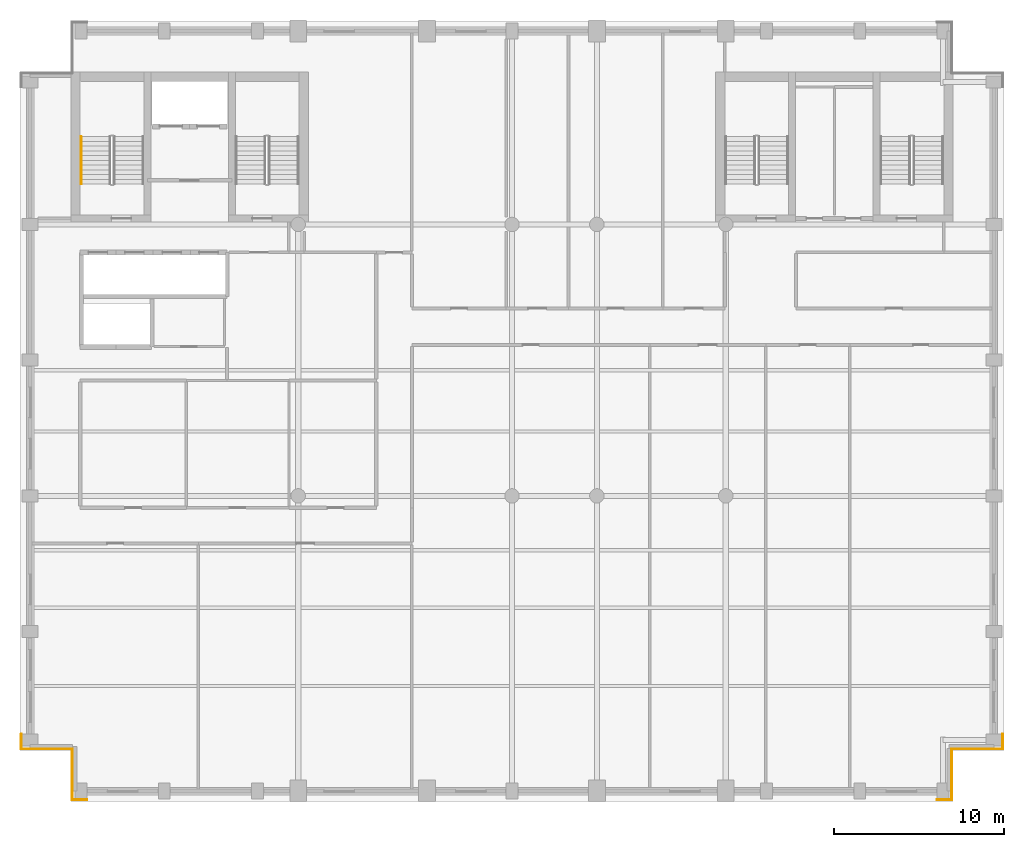
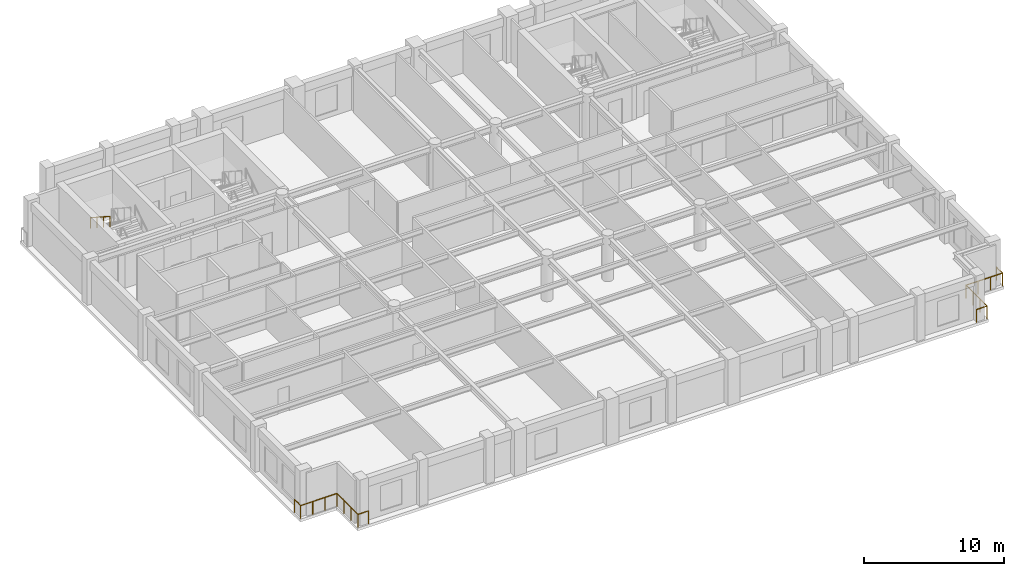
# One storey, part 7 of 9: 9 railings.
"""IFC4 building model written with IfcOpenShell, lengths in metres."""

from ifc_helpers import new_model, si_unit, direction, frame, origin, origin_2d, place, context, subcontext, project, spatial, circle, extrude, material, type_object, element, save


model = new_model("IFC4")

# Units and contexts
model_context = context("Model", 3, precision=1e-05, world=origin(), true_north=direction((0.0, 1.0)))
body_context = subcontext(model_context, "Body", "Model", "MODEL_VIEW")
ifc_project = project(units=[si_unit("LENGTHUNIT", "METRE"), si_unit("AREAUNIT", "SQUARE_METRE"), si_unit("VOLUMEUNIT", "CUBIC_METRE"), si_unit("PLANEANGLEUNIT", "RADIAN"), si_unit("MASSUNIT", "GRAM", prefix="KILO")], contexts=[model_context])

# Site, building, storey
site_placement = place(None, origin())
site = spatial("IfcSite", under=ifc_project, at=site_placement, CompositionType="ELEMENT")
building_placement = place(site_placement, origin())
building = spatial("IfcBuilding", under=site, at=building_placement, Name="Sulina Concourse Tower", CompositionType="ELEMENT")
storey_placement = place(building_placement, frame((0.0, 0.0, 272.60009765625)))
storey = spatial("IfcBuildingStorey", under=building, at=storey_placement, Name="L66", CompositionType="ELEMENT", Elevation=272.60009765625)

# Railings
ifc_material_1 = material(Name="Galvanised steel railing", Category="steel")
railing_type_1 = type_object("IfcRailingType", Name="Core Stair Steel Guardrail 1150mm", PredefinedType="GUARDRAIL", material=ifc_material_1)
railing_1_placement = place(storey_placement, frame((57.919921875, 3.949951171875, 0.0)))
element("IfcRailing", 1, at=railing_1_placement, inside=storey, type_object=railing_type_1, Name="L66 perimeter edge safety guardrail SE1", PredefinedType="GUARDRAIL", context=body_context, shape_type="SweptSolid", body=[
    extrude(circle(Radius=0.02392578125, at=origin_2d()), frame((0.0, 0.0, 1.1259765625), z_axis=(0.0, -1.0, 0.0), x_axis=(1.0, 0.0, 0.0)), (0.0, 0.0, 1.0), 0.869873046875),
    extrude(circle(Radius=0.02099609375, at=origin_2d()), origin(), (0.0, 0.0, 1.0), 1.101806640625),
    extrude(circle(Radius=0.02099609375, at=origin_2d()), frame((0.0, -0.869873046875, 0.0)), (0.0, 0.0, 1.0), 1.101806640625),
])
railing_2_placement = place(storey_placement, frame((57.919921875, 3.080078125, 0.0)))
element("IfcRailing", 2, at=railing_2_placement, inside=storey, type_object=railing_type_1, Name="L66 perimeter edge safety guardrail SE2", PredefinedType="GUARDRAIL", context=body_context, shape_type="SweptSolid", body=[
    extrude(circle(Radius=0.02392578125, at=origin_2d()), frame((0.0, 0.0, 1.1259765625), z_axis=(-1.0, 0.0, 0.0), x_axis=(0.0, -1.0, 0.0)), (0.0, 0.0, 1.0), 3.0),
    extrude(circle(Radius=0.02099609375, at=origin_2d()), origin(), (0.0, 0.0, 1.0), 1.101806640625),
    extrude(circle(Radius=0.02099609375, at=origin_2d()), frame((-1.0, 0.0, 0.0)), (0.0, 0.0, 1.0), 1.101806640625),
    extrude(circle(Radius=0.02099609375, at=origin_2d()), frame((-2.0, 0.0, 0.0)), (0.0, 0.0, 1.0), 1.101806640625),
    extrude(circle(Radius=0.02099609375, at=origin_2d()), frame((-3.0, 0.0, 0.0)), (0.0, 0.0, 1.0), 1.101806640625),
])
railing_3_placement = place(storey_placement, frame((54.919921875, 3.080078125, 0.0)))
element("IfcRailing", 3, at=railing_3_placement, inside=storey, type_object=railing_type_1, Name="L66 perimeter edge safety guardrail SE3", PredefinedType="GUARDRAIL", context=body_context, shape_type="SweptSolid", body=[
    extrude(circle(Radius=0.02392578125, at=origin_2d()), frame((0.0, 0.0, 1.1259765625), z_axis=(0.0, -1.0, 0.0), x_axis=(1.0, 0.0, 0.0)), (0.0, 0.0, 1.0), 3.0),
    extrude(circle(Radius=0.02099609375, at=origin_2d()), origin(), (0.0, 0.0, 1.0), 1.101806640625),
    extrude(circle(Radius=0.02099609375, at=origin_2d()), frame((0.0, -1.0, 0.0)), (0.0, 0.0, 1.0), 1.101806640625),
    extrude(circle(Radius=0.02099609375, at=origin_2d()), frame((0.0, -2.0, 0.0)), (0.0, 0.0, 1.0), 1.101806640625),
    extrude(circle(Radius=0.02099609375, at=origin_2d()), frame((0.0, -3.0, 0.0)), (0.0, 0.0, 1.0), 1.101806640625),
])
for number, where, name in (
    (4, (54.919921875, 0.080078125, 0.0), "L66 perimeter edge safety guardrail SE4"),
    (5, (3.949951171875, 0.080078125, 0.0), "L66 perimeter edge safety guardrail SW1"),
):
    element("IfcRailing", number, at=place(storey_placement, frame(where)), inside=storey, type_object=railing_type_1, Name=name, PredefinedType="GUARDRAIL", context=body_context, shape_type="SweptSolid", body=[
        extrude(circle(Radius=0.02392578125, at=origin_2d()), frame((0.0, 0.0, 1.1259765625), z_axis=(-1.0, 0.0, 0.0), x_axis=(0.0, -1.0, 0.0)), (0.0, 0.0, 1.0), 0.869873046875),
        extrude(circle(Radius=0.02099609375, at=origin_2d()), origin(), (0.0, 0.0, 1.0), 1.101806640625),
        extrude(circle(Radius=0.02099609375, at=origin_2d()), frame((-0.869873046875, 0.0, 0.0)), (0.0, 0.0, 1.0), 1.101806640625),
    ])
railing_4_placement = place(storey_placement, frame((3.080078125, 0.080078125, 0.0)))
element("IfcRailing", 6, at=railing_4_placement, inside=storey, type_object=railing_type_1, Name="L66 perimeter edge safety guardrail SW2", PredefinedType="GUARDRAIL", context=body_context, shape_type="SweptSolid", body=[
    extrude(circle(Radius=0.02392578125, at=origin_2d()), frame((0.0, 0.0, 1.1259765625), z_axis=(0.0, 1.0, 0.0), x_axis=(-1.0, 0.0, 0.0)), (0.0, 0.0, 1.0), 3.0),
    extrude(circle(Radius=0.02099609375, at=origin_2d()), origin(), (0.0, 0.0, 1.0), 1.101806640625),
    extrude(circle(Radius=0.02099609375, at=origin_2d()), frame((0.0, 1.0, 0.0)), (0.0, 0.0, 1.0), 1.101806640625),
    extrude(circle(Radius=0.02099609375, at=origin_2d()), frame((0.0, 2.0, 0.0)), (0.0, 0.0, 1.0), 1.101806640625),
    extrude(circle(Radius=0.02099609375, at=origin_2d()), frame((0.0, 3.0, 0.0)), (0.0, 0.0, 1.0), 1.101806640625),
])
railing_5_placement = place(storey_placement, frame((3.080078125, 3.080078125, 0.0)))
element("IfcRailing", 7, at=railing_5_placement, inside=storey, type_object=railing_type_1, Name="L66 perimeter edge safety guardrail SW3", PredefinedType="GUARDRAIL", context=body_context, shape_type="SweptSolid", body=[
    extrude(circle(Radius=0.02392578125, at=origin_2d()), frame((0.0, 0.0, 1.1259765625), z_axis=(-1.0, 0.0, 0.0), x_axis=(0.0, -1.0, 0.0)), (0.0, 0.0, 1.0), 3.0),
    extrude(circle(Radius=0.02099609375, at=origin_2d()), origin(), (0.0, 0.0, 1.0), 1.101806640625),
    extrude(circle(Radius=0.02099609375, at=origin_2d()), frame((-1.0, 0.0, 0.0)), (0.0, 0.0, 1.0), 1.101806640625),
    extrude(circle(Radius=0.02099609375, at=origin_2d()), frame((-2.0, 0.0, 0.0)), (0.0, 0.0, 1.0), 1.101806640625),
    extrude(circle(Radius=0.02099609375, at=origin_2d()), frame((-3.0, 0.0, 0.0)), (0.0, 0.0, 1.0), 1.101806640625),
])
railing_6_placement = place(storey_placement, frame((0.080078125, 3.080078125, 0.0)))
element("IfcRailing", 8, at=railing_6_placement, inside=storey, type_object=railing_type_1, Name="L66 perimeter edge safety guardrail SW4", PredefinedType="GUARDRAIL", context=body_context, shape_type="SweptSolid", body=[
    extrude(circle(Radius=0.02392578125, at=origin_2d()), frame((0.0, 0.0, 1.1259765625), z_axis=(0.0, 1.0, 0.0), x_axis=(-1.0, 0.0, 0.0)), (0.0, 0.0, 1.0), 0.869873046875),
    extrude(circle(Radius=0.02099609375, at=origin_2d()), origin(), (0.0, 0.0, 1.0), 1.101806640625),
    extrude(circle(Radius=0.02099609375, at=origin_2d()), frame((0.0, 0.869873046875, 0.0)), (0.0, 0.0, 1.0), 1.101806640625),
])
ifc_material_2 = material(Name="Galvanised steel railing", Category="steel")
railing_type_2 = type_object("IfcRailingType", Name="Stair Wall Steel Handrail 920mm", PredefinedType="HANDRAIL", material=ifc_material_2)
railing_7_placement = place(storey_placement, frame((3.60498046875, 39.175048828125, 2.181640625)))
element("IfcRailing", 9, at=railing_7_placement, inside=storey, type_object=railing_type_2, Name="L66 ST-1 stair handrail 2", PredefinedType="HANDRAIL", context=body_context, shape_type="SweptSolid", body=[
    extrude(circle(Radius=0.02392578125, at=origin_2d()), frame((0.0, 0.0, 0.89599609375), z_axis=(0.0, -0.838672427954, 0.544636170843), x_axis=(1.0, 0.0, 0.0)), (0.0, 0.0, 1.0), 3.338623046875),
    extrude(circle(Radius=0.02099609375, at=origin_2d()), origin(), (0.0, 0.0, 1.0), 0.871826171875),
    extrude(circle(Radius=0.02099609375, at=origin_2d()), frame((0.0, -0.933349609375, 0.606201171875)), (0.0, 0.0, 1.0), 0.871826171875),
    extrude(circle(Radius=0.02099609375, at=origin_2d()), frame((0.0, -1.86669921875, 1.212158203125)), (0.0, 0.0, 1.0), 0.871826171875),
    extrude(circle(Radius=0.02099609375, at=origin_2d()), frame((0.0, -2.800048828125, 1.818359375)), (0.0, 0.0, 1.0), 0.871826171875),
])

save(model, "model.ifc")
